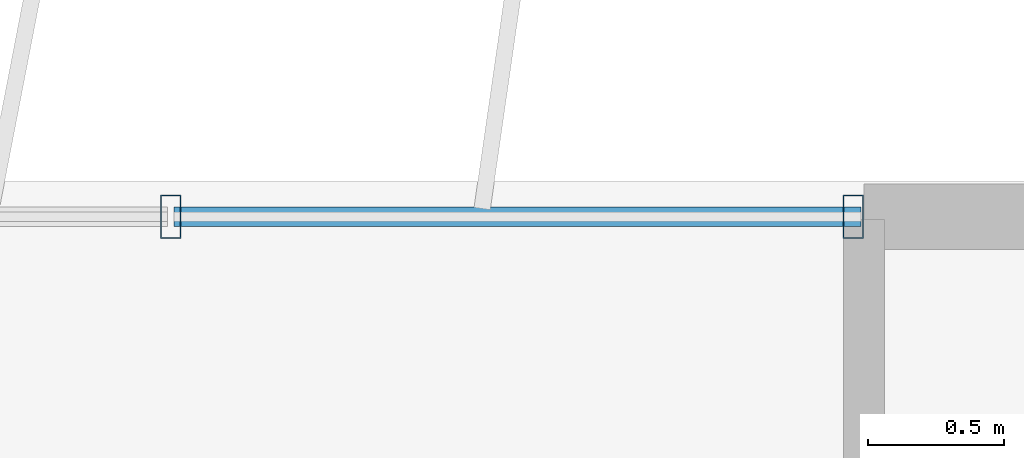
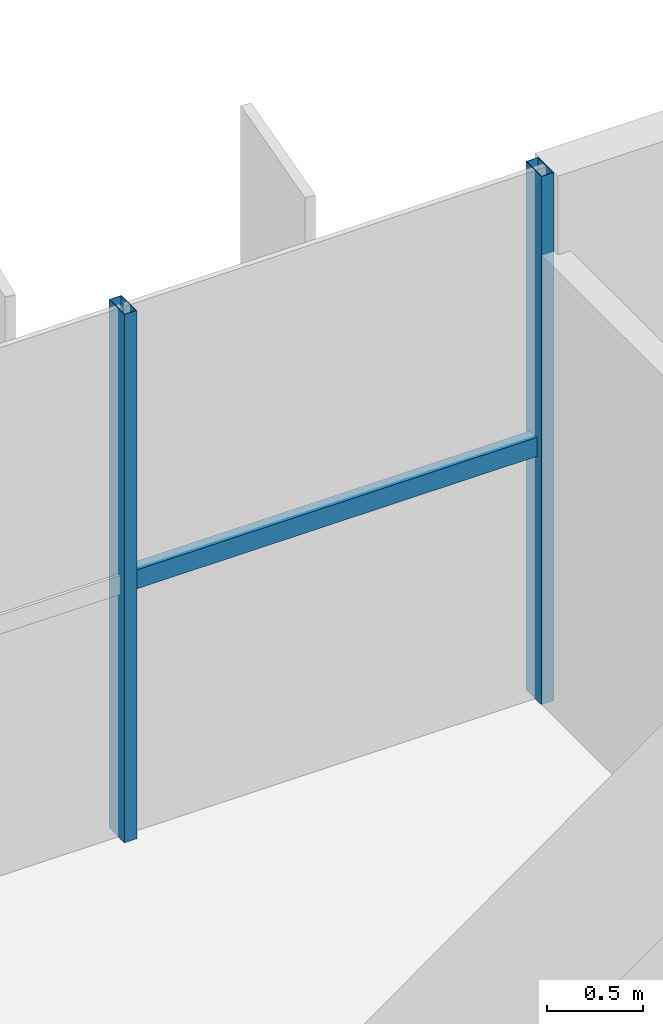
# One storey, part 12 of 20: 3 members, 1 element without a shape of its own.
"""IFC4 building model written with IfcOpenShell, lengths in metres."""

from ifc_helpers import new_model, si_unit, direction, frame, origin, origin_2d, place, context, subcontext, project, spatial, hollow_rectangle, extrude, source, transform, mapped, material, material_profile, profile_set, type_object, element, aggregate, save


model = new_model("IFC4")

# Units and contexts
model_context = context("Model", 3, precision=1e-05, world=origin(), true_north=direction((0.0, 1.0)))
body_context = subcontext(model_context, "Body", "Model", "MODEL_VIEW")
ifc_project = project(units=[si_unit("LENGTHUNIT", "METRE"), si_unit("AREAUNIT", "SQUARE_METRE"), si_unit("VOLUMEUNIT", "CUBIC_METRE"), si_unit("PLANEANGLEUNIT", "RADIAN"), si_unit("MASSUNIT", "GRAM", prefix="KILO")], contexts=[model_context])

# Site, building, storey
site_placement = place(None, origin())
site = spatial("IfcSite", under=ifc_project, at=site_placement, CompositionType="ELEMENT")
building_placement = place(site_placement, origin())
building = spatial("IfcBuilding", under=site, at=building_placement, Name="Trelvane Seafront Commons", CompositionType="ELEMENT")
storey_placement = place(building_placement, frame((0.0, 0.0, 171.699951171875)))
storey = spatial("IfcBuildingStorey", under=building, at=storey_placement, Name="L45", CompositionType="ELEMENT", Elevation=171.699951171875)

# Curtain wall, members
ifc_material = material(Name="Anodised pale-silver aluminium", Category="aluminium")
curtain_wall_type = type_object("IfcCurtainWallType", Name="ARCH-CW5-UPTOWER", PredefinedType="NOTDEFINED", material=ifc_material)
curtain_wall_placement = place(storey_placement, origin())
curtain_wall = element("IfcCurtainWall", 1, at=curtain_wall_placement, inside=storey, type_object=curtain_wall_type, Name="CW-L45-0072", PredefinedType="NOTDEFINED")
ifc_material_profile_1 = material_profile(ifc_material, hollow_rectangle(XDim=0.070068359375, YDim=0.1201171875, WallThickness=0.00390625, at=origin_2d()), Name="TRAN-70x120x4")
ifc_profile_set_1 = profile_set([ifc_material_profile_1], Name="Anodised pale-silver aluminium")
member_type_1 = type_object("IfcMemberType", Name="ARCH-CW-TRAN-120", PredefinedType="USERDEFINED", material=ifc_profile_set_1)
shared_shape_1 = source(origin(), body_context, "Body", "SweptSolid", [
    extrude(hollow_rectangle(XDim=0.070068359375, YDim=0.1201171875, WallThickness=0.00390625, at=origin_2d()), origin(), (0.0, 0.0, 1.0), 2.517333984375),
])
member_1_placement = place(storey_placement, frame((56.270751953125, 48.3701171875, 1.608154296875), z_axis=(1.0, 0.0, 0.0), x_axis=(0.0, 1.0, 0.0)))
member_1 = element("IfcMember", 2, at=member_1_placement, type_object=member_type_1, Name="CW-L45-0072-T16", ObjectType="TRANSOM", PredefinedType="USERDEFINED", context=body_context, shape_type="MappedRepresentation", body=[
    mapped(shared_shape_1, transform((0.0, 0.0, 0.0), x_axis=(1.0, 0.0, 0.0), y_axis=(0.0, 1.0, 0.0), z_axis=(0.0, 0.0, 1.0), scale=1.0)),
])
ifc_material_profile_2 = material_profile(ifc_material, hollow_rectangle(XDim=0.074951171875, YDim=0.159912109375, WallThickness=0.00390625, at=origin_2d()), Name="MULL-75x160x4")
ifc_profile_set_2 = profile_set([ifc_material_profile_2], Name="Anodised pale-silver aluminium")
member_type_2 = type_object("IfcMemberType", Name="ARCH-CW-MULL-160", PredefinedType="MULLION", material=ifc_profile_set_2)
shared_shape_2 = source(origin(), body_context, "Body", "SweptSolid", [
    extrude(hollow_rectangle(XDim=0.074951171875, YDim=0.159912109375, WallThickness=0.00390625, at=origin_2d()), origin(), (0.0, 0.0, 1.0), 3.35009765625),
])
member_2_placement = place(storey_placement, frame((56.2587890625, 48.3701171875, 0.0), z_axis=(0.0, 0.0, 1.0), x_axis=(1.0, 0.0, 0.0)))
member_2 = element("IfcMember", 3, at=member_2_placement, type_object=member_type_2, Name="CW-L45-0072-M16", PredefinedType="MULLION", context=body_context, shape_type="MappedRepresentation", body=[
    mapped(shared_shape_2, transform((0.0, 0.0, 0.0), x_axis=(1.0, 0.0, 0.0), y_axis=(0.0, 1.0, 0.0), z_axis=(0.0, 0.0, 1.0), scale=1.0)),
])
member_3_placement = place(storey_placement, frame((58.760009765625, 48.3701171875, 0.0), z_axis=(0.0, 0.0, 1.0), x_axis=(1.0, 0.0, 0.0)))
member_3 = element("IfcMember", 4, at=member_3_placement, type_object=member_type_2, Name="CW-L45-0072-M17", PredefinedType="MULLION", context=body_context, shape_type="MappedRepresentation", body=[
    mapped(shared_shape_2, transform((0.0, 0.0, 0.0), x_axis=(1.0, 0.0, 0.0), y_axis=(0.0, 1.0, 0.0), z_axis=(0.0, 0.0, 1.0), scale=1.0)),
])
aggregate(curtain_wall, [member_2, member_3, member_1])

save(model, "model.ifc")
